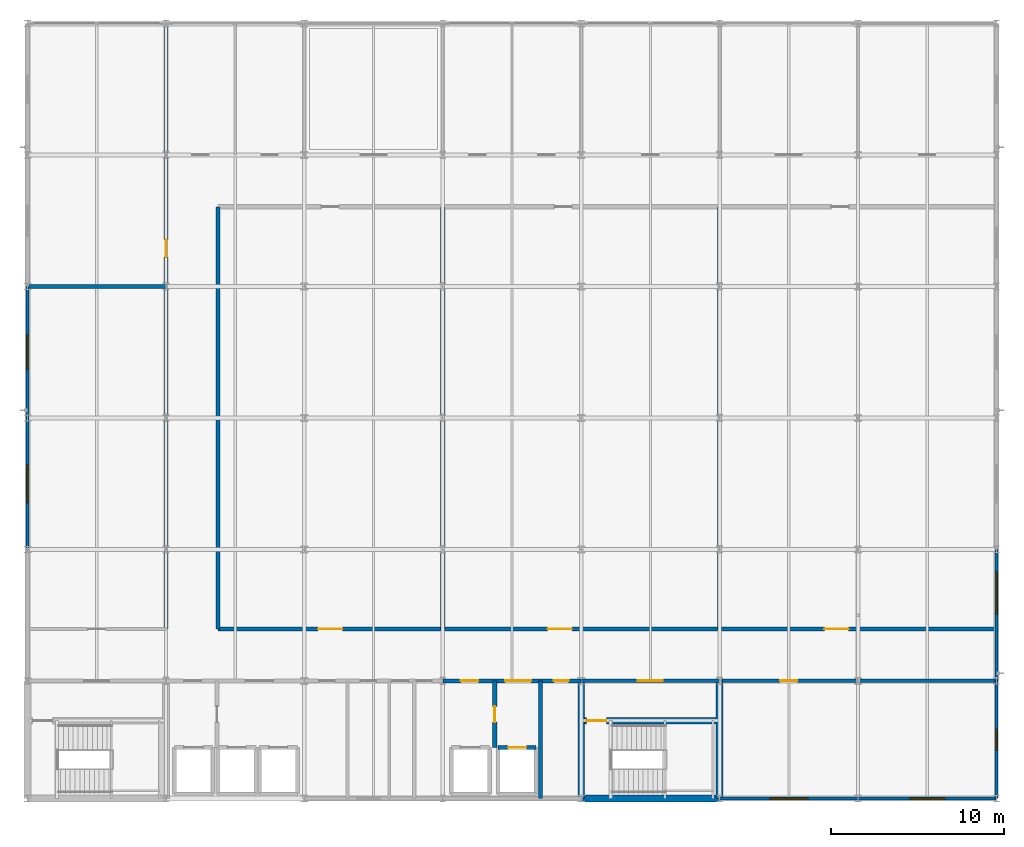
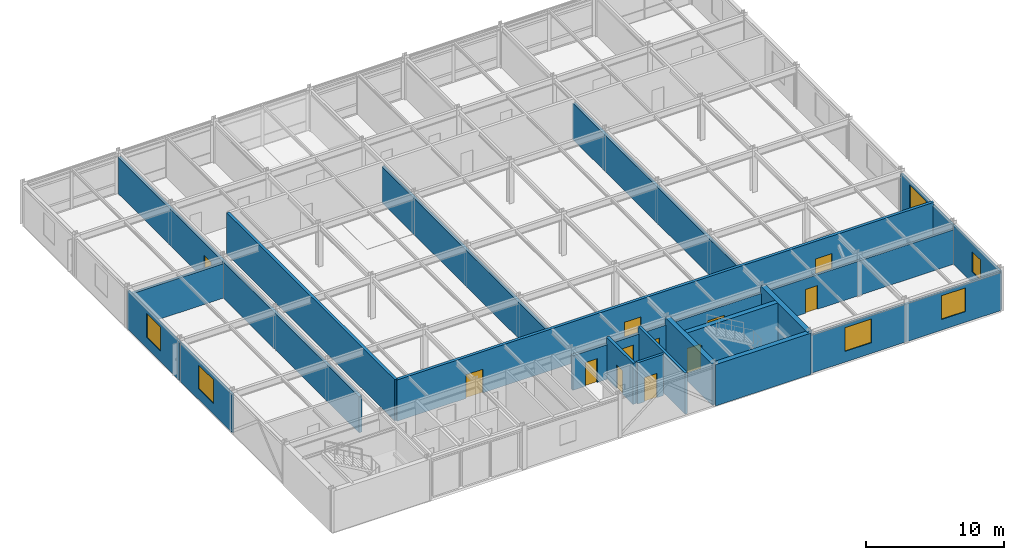
# One storey, part 12 of 18: 22 walls, 12 doors, 6 windows, 18 openings.
"""IFC4 building model written with IfcOpenShell, lengths in metres."""

from ifc_helpers import new_model, si_unit, direction, frame, frame_2d, origin, place, context, subcontext, project, spatial, rectangle, extrude, material, layer, layer_set, type_object, element, fill, save


model = new_model("IFC4")

# Units and contexts
model_context = context("Model", 3, precision=1e-05, world=origin(), true_north=direction((0.0, 1.0)))
body_context = subcontext(model_context, "Body", "Model", "MODEL_VIEW")
ifc_project = project(units=[si_unit("LENGTHUNIT", "METRE"), si_unit("AREAUNIT", "SQUARE_METRE"), si_unit("VOLUMEUNIT", "CUBIC_METRE"), si_unit("PLANEANGLEUNIT", "RADIAN"), si_unit("MASSUNIT", "GRAM", prefix="KILO")], contexts=[model_context])

# Site, building, storey
site_placement = place(None, origin())
site = spatial("IfcSite", under=ifc_project, at=site_placement, CompositionType="ELEMENT")
building_placement = place(site_placement, origin())
building = spatial("IfcBuilding", under=site, at=building_placement, Name="Shalkamar Park Central Library", CompositionType="ELEMENT")
storey_placement = place(building_placement, frame((0.0, 0.0, 24.300048828125)))
storey = spatial("IfcBuildingStorey", under=building, at=storey_placement, Name="L06", CompositionType="ELEMENT", Elevation=24.300048828125)

# Wall, opening, door
ifc_material_1 = material(Name="Reinforced fire-compartment masonry wall", Category="masonry")
ifc_layer_1 = layer(ifc_material_1, 0.239990234375)
ifc_layer_set_1 = layer_set([ifc_layer_1], Name="CompartmentWall_240")
wall_type_1 = type_object("IfcWallType", Name="Compartment Wall 240", PredefinedType="PARTITIONING", material=ifc_layer_set_1)
wall_1_placement = place(storey_placement, frame((192.0, 251.35009765625, 0.0), z_axis=(0.0, 0.0, 1.0), x_axis=(0.0, 1.0, 0.0)))
wall_1 = element("IfcWall", 1, at=wall_1_placement, inside=storey, type_object=wall_type_1, Name="Interior Partition WL-INT-L06-002", PredefinedType="PARTITIONING", context=body_context, shape_type="SweptSolid", body=[
    extrude(rectangle(XDim=3.849853515625, YDim=0.239990234375, at=frame_2d((1.9248046875, 0.0))), origin(), (0.0, 0.0, 1.0), 3.659912109375),
])
opening_1_placement = place(wall_1_placement, frame((1.47509765625, 0.0, 0.0)))
opening_1 = element("IfcOpeningElement", 2, at=opening_1_placement, cuts=wall_1, Name="Opening DR-L06-002", PredefinedType="OPENING", context=body_context, shape_type="SweptSolid", body=[
    extrude(rectangle(XDim=0.89990234375, YDim=2.10009765625, at=frame_2d((0.449951171875, 1.050048828125))), frame((0.0, 0.134765625, 0.0), z_axis=(0.0, -1.0, 0.0), x_axis=(1.0, 0.0, 0.0)), (0.0, 0.0, 1.0), 0.269775390625),
])
ifc_material_2 = material(Name="Steel S355", Category="steel")
door_type_1 = type_object("IfcDoorType", Name="Fire Door Single 900x2100", OperationType="NOTDEFINED", PredefinedType="DOOR", material=ifc_material_2)
door_1_placement = place(opening_1_placement, origin())
door_1 = element("IfcDoor", 3, at=door_1_placement, inside=storey, type_object=door_type_1, Name="Fire Lobby Interconnect Door", OperationType="SINGLE_SWING_LEFT", OverallHeight=2.10009765625, OverallWidth=0.89990234375, PredefinedType="DOOR", context=body_context, shape_type="SweptSolid", body=[
    extrude(rectangle(XDim=0.89990234375, YDim=2.10009765625, at=frame_2d((0.449951171875, 1.050048828125))), frame((0.0, 0.02490234375, 0.0), z_axis=(0.0, -1.0, 0.0), x_axis=(1.0, 0.0, 0.0)), (0.0, 0.0, 1.0), 0.050048828125),
])
fill(opening_1, door_1)

# Wall, openings, doors
wall_2_placement = place(storey_placement, frame((189.0, 255.199951171875, 0.0), z_axis=(0.0, 0.0, 1.0), x_axis=(1.0, 0.0, 0.0)))
wall_2 = element("IfcWall", 4, at=wall_2_placement, inside=storey, type_object=wall_type_1, Name="Interior Partition WL-INT-L06-009", PredefinedType="PARTITIONING", context=body_context, shape_type="SweptSolid", body=[
    extrude(rectangle(XDim=8.0, YDim=0.239990234375, at=frame_2d((4.0, 0.0))), origin(), (0.0, 0.0, 1.0), 3.057861328125),
])
opening_2_placement = place(wall_2_placement, frame((1.050048828125, 0.0, 0.0)))
opening_2 = element("IfcOpeningElement", 5, at=opening_2_placement, cuts=wall_2, Name="Opening DR-L06-009", PredefinedType="OPENING", context=body_context, shape_type="SweptSolid", body=[
    extrude(rectangle(XDim=1.0, YDim=2.10009765625, at=frame_2d((0.5, 1.050048828125))), frame((0.0, 0.134765625, 0.0), z_axis=(0.0, -1.0, 0.0), x_axis=(1.0, 0.0, 0.0)), (0.0, 0.0, 1.0), 0.269775390625),
])
opening_3_placement = place(wall_2_placement, frame((3.60009765625, 0.0, 0.0)))
opening_3 = element("IfcOpeningElement", 6, at=opening_3_placement, cuts=wall_2, Name="Opening DR-L06-010", PredefinedType="OPENING", context=body_context, shape_type="SweptSolid", body=[
    extrude(rectangle(XDim=1.5, YDim=2.25, at=frame_2d((0.75, 1.125))), frame((0.0, 0.134765625, 0.0), z_axis=(0.0, -1.0, 0.0), x_axis=(1.0, 0.0, 0.0)), (0.0, 0.0, 1.0), 0.269775390625),
])
opening_4_placement = place(wall_2_placement, frame((6.425048828125, 0.0, 0.0)))
opening_4 = element("IfcOpeningElement", 7, at=opening_4_placement, cuts=wall_2, Name="Opening DR-L06-011", PredefinedType="OPENING", context=body_context, shape_type="SweptSolid", body=[
    extrude(rectangle(XDim=0.85009765625, YDim=2.10009765625, at=frame_2d((0.425048828125, 1.050048828125))), frame((0.0, 0.134765625, 0.0), z_axis=(0.0, -1.0, 0.0), x_axis=(1.0, 0.0, 0.0)), (0.0, 0.0, 1.0), 0.269775390625),
])
door_type_2 = type_object("IfcDoorType", Name="Fire Door Riser 850x2100", OperationType="NOTDEFINED", PredefinedType="DOOR", material=ifc_material_2)
door_2_placement = place(opening_4_placement, frame((0.85009765625, 0.0, 0.0), z_axis=(0.0, 0.0, 1.0), x_axis=(-1.0, 0.0, 0.0)))
door_2 = element("IfcDoor", 8, at=door_2_placement, inside=storey, type_object=door_type_2, Name="Mechanical Riser Access Door", OperationType="SINGLE_SWING_LEFT", OverallHeight=2.10009765625, OverallWidth=0.85009765625, PredefinedType="DOOR", context=body_context, shape_type="SweptSolid", body=[
    extrude(rectangle(XDim=0.85009765625, YDim=2.10009765625, at=frame_2d((0.425048828125, 1.050048828125))), frame((0.0, 0.02490234375, 0.0), z_axis=(0.0, -1.0, 0.0), x_axis=(1.0, 0.0, 0.0)), (0.0, 0.0, 1.0), 0.050048828125),
])
fill(opening_4, door_2)
door_type_3 = type_object("IfcDoorType", Name="Fire Door Single 1000x2100", OperationType="NOTDEFINED", PredefinedType="DOOR", material=ifc_material_2)
door_3_placement = place(opening_2_placement, frame((1.0, 0.0, 0.0), z_axis=(0.0, 0.0, 1.0), x_axis=(-1.0, 0.0, 0.0)))
door_3 = element("IfcDoor", 9, at=door_3_placement, inside=storey, type_object=door_type_3, Name="East Firefighting Lobby Door", OperationType="SINGLE_SWING_RIGHT", OverallHeight=2.10009765625, OverallWidth=1.0, PredefinedType="DOOR", context=body_context, shape_type="SweptSolid", body=[
    extrude(rectangle(XDim=1.0, YDim=2.10009765625, at=frame_2d((0.5, 1.050048828125))), frame((0.0, 0.02490234375, 0.0), z_axis=(0.0, -1.0, 0.0), x_axis=(1.0, 0.0, 0.0)), (0.0, 0.0, 1.0), 0.050048828125),
])
fill(opening_2, door_3)
door_type_4 = type_object("IfcDoorType", Name="Interior Door Double 1500x2250", OperationType="DOUBLE_DOOR_SINGLE_SWING", PredefinedType="DOOR", material=ifc_material_2)
door_4_placement = place(opening_3_placement, frame((1.5, 0.0, 0.0), z_axis=(0.0, 0.0, 1.0), x_axis=(-1.0, 0.0, 0.0)))
door_4 = element("IfcDoor", 10, at=door_4_placement, inside=storey, type_object=door_type_4, Name="East Lift Lobby Entrance", OperationType="DOUBLE_DOOR_SINGLE_SWING", OverallHeight=2.25, OverallWidth=1.5, PredefinedType="DOOR", context=body_context, shape_type="SweptSolid", body=[
    extrude(rectangle(XDim=1.5, YDim=2.25, at=frame_2d((0.75, 1.125))), frame((0.0, 0.02490234375, 0.0), z_axis=(0.0, -1.0, 0.0), x_axis=(1.0, 0.0, 0.0)), (0.0, 0.0, 1.0), 0.050048828125),
])
fill(opening_3, door_4)

# Wall, opening, door
wall_3_placement = place(storey_placement, frame((173.0, 258.199951171875, 0.0), z_axis=(0.0, 0.0, 1.0), x_axis=(0.0, 1.0, 0.0)))
wall_3 = element("IfcWall", 11, at=wall_3_placement, inside=storey, type_object=wall_type_1, Name="Interior Partition WL-INT-L06-012", PredefinedType="PARTITIONING", context=body_context, shape_type="SweptSolid", body=[
    extrude(rectangle(XDim=35.0, YDim=0.239990234375, at=frame_2d((17.5, 0.0))), origin(), (0.0, 0.0, 1.0), 3.2080078125),
])
opening_5_placement = place(wall_3_placement, frame((21.5, 0.0, 0.0)))
opening_5 = element("IfcOpeningElement", 12, at=opening_5_placement, cuts=wall_3, Name="Opening DR-L06-014", PredefinedType="OPENING", context=body_context, shape_type="SweptSolid", body=[
    extrude(rectangle(XDim=1.0, YDim=2.10009765625, at=frame_2d((0.5, 1.050048828125))), frame((0.0, 0.134765625, 0.0), z_axis=(0.0, -1.0, 0.0), x_axis=(1.0, 0.0, 0.0)), (0.0, 0.0, 1.0), 0.269775390625),
])
door_type_5 = type_object("IfcDoorType", Name="Interior Door Single 1000x2100", OperationType="NOTDEFINED", PredefinedType="DOOR", material=ifc_material_2)
door_5_placement = place(opening_5_placement, origin())
door_5 = element("IfcDoor", 13, at=door_5_placement, inside=storey, type_object=door_type_5, Name="L06 West Carrel Suite Door", OperationType="SINGLE_SWING_RIGHT", OverallHeight=2.10009765625, OverallWidth=1.0, PredefinedType="DOOR", context=body_context, shape_type="SweptSolid", body=[
    extrude(rectangle(XDim=1.0, YDim=2.10009765625, at=frame_2d((0.5, 1.050048828125))), frame((0.0, 0.02490234375, 0.0), z_axis=(0.0, -1.0, 0.0), x_axis=(1.0, 0.0, 0.0)), (0.0, 0.0, 1.0), 0.050048828125),
])
fill(opening_5, door_5)

# Walls
wall_4_placement = place(storey_placement, frame((165.0, 278.0, 0.0), z_axis=(0.0, 0.0, 1.0), x_axis=(1.0, 0.0, 0.0)))
element("IfcWall", 14, at=wall_4_placement, inside=storey, type_object=wall_type_1, Name="Interior Partition WL-INT-L06-013", PredefinedType="PARTITIONING", context=body_context, shape_type="SweptSolid", body=[
    extrude(rectangle(XDim=8.0, YDim=0.239990234375, at=frame_2d((4.0, 0.0))), origin(), (0.0, 0.0, 1.0), 3.057861328125),
])
wall_5_placement = place(storey_placement, frame((176.0, 258.199951171875, 0.0), z_axis=(0.0, 0.0, 1.0), x_axis=(0.0, 1.0, 0.0)))
element("IfcWall", 15, at=wall_5_placement, inside=storey, type_object=wall_type_1, Name="Interior Partition WL-INT-L06-014", PredefinedType="PARTITIONING", context=body_context, shape_type="SweptSolid", body=[
    extrude(rectangle(XDim=24.400146484375, YDim=0.239990234375, at=frame_2d((12.2001953125, 0.0))), origin(), (0.0, 0.0, 1.0), 3.659912109375),
])

# Wall, openings, doors
wall_6_placement = place(storey_placement, frame((176.0, 258.199951171875, 0.0), z_axis=(0.0, 0.0, 1.0), x_axis=(1.0, 0.0, 0.0)))
wall_6 = element("IfcWall", 16, at=wall_6_placement, inside=storey, type_object=wall_type_1, Name="Interior Partition WL-INT-L06-015", PredefinedType="PARTITIONING", context=body_context, shape_type="SweptSolid", body=[
    extrude(rectangle(XDim=45.0, YDim=0.239990234375, at=frame_2d((22.5, 0.0))), origin(), (0.0, 0.0, 1.0), 3.659912109375),
])
opening_6_placement = place(wall_6_placement, frame((5.800048828125, 0.0, 0.0)))
opening_6 = element("IfcOpeningElement", 17, at=opening_6_placement, cuts=wall_6, Name="Opening DR-L06-015", PredefinedType="OPENING", context=body_context, shape_type="SweptSolid", body=[
    extrude(rectangle(XDim=1.39990234375, YDim=2.10009765625, at=frame_2d((0.699951171875, 1.050048828125))), frame((0.0, 0.134765625, 0.0), z_axis=(0.0, -1.0, 0.0), x_axis=(1.0, 0.0, 0.0)), (0.0, 0.0, 1.0), 0.269775390625),
])
opening_7_placement = place(wall_6_placement, frame((19.06005859375, 0.0, 0.0)))
opening_7 = element("IfcOpeningElement", 18, at=opening_7_placement, cuts=wall_6, Name="Opening DR-L06-016", PredefinedType="OPENING", context=body_context, shape_type="SweptSolid", body=[
    extrude(rectangle(XDim=1.39990234375, YDim=2.10009765625, at=frame_2d((0.699951171875, 1.050048828125))), frame((0.0, 0.134765625, 0.0), z_axis=(0.0, -1.0, 0.0), x_axis=(1.0, 0.0, 0.0)), (0.0, 0.0, 1.0), 0.269775390625),
])
opening_8_placement = place(wall_6_placement, frame((35.06005859375, 0.0, 0.0)))
opening_8 = element("IfcOpeningElement", 19, at=opening_8_placement, cuts=wall_6, Name="Opening DR-L06-017", PredefinedType="OPENING", context=body_context, shape_type="SweptSolid", body=[
    extrude(rectangle(XDim=1.39990234375, YDim=2.10009765625, at=frame_2d((0.699951171875, 1.050048828125))), frame((0.0, 0.134765625, 0.0), z_axis=(0.0, -1.0, 0.0), x_axis=(1.0, 0.0, 0.0)), (0.0, 0.0, 1.0), 0.269775390625),
])
door_type_6 = type_object("IfcDoorType", Name="Fire Door Double 1400x2100", OperationType="DOUBLE_DOOR_SINGLE_SWING", PredefinedType="DOOR", material=ifc_material_2)
door_6_placement = place(opening_6_placement, origin())
door_6 = element("IfcDoor", 20, at=door_6_placement, inside=storey, type_object=door_type_6, Name="L06 Closed Stacks A Door", OperationType="DOUBLE_DOOR_SINGLE_SWING", OverallHeight=2.10009765625, OverallWidth=1.39990234375, PredefinedType="DOOR", context=body_context, shape_type="SweptSolid", body=[
    extrude(rectangle(XDim=1.39990234375, YDim=2.10009765625, at=frame_2d((0.699951171875, 1.050048828125))), frame((0.0, 0.02490234375, 0.0), z_axis=(0.0, -1.0, 0.0), x_axis=(1.0, 0.0, 0.0)), (0.0, 0.0, 1.0), 0.050048828125),
])
fill(opening_6, door_6)
door_7_placement = place(opening_7_placement, origin())
door_7 = element("IfcDoor", 21, at=door_7_placement, inside=storey, type_object=door_type_6, Name="L06 Closed Stacks B Door", OperationType="DOUBLE_DOOR_SINGLE_SWING", OverallHeight=2.10009765625, OverallWidth=1.39990234375, PredefinedType="DOOR", context=body_context, shape_type="SweptSolid", body=[
    extrude(rectangle(XDim=1.39990234375, YDim=2.10009765625, at=frame_2d((0.699951171875, 1.050048828125))), frame((0.0, 0.02490234375, 0.0), z_axis=(0.0, -1.0, 0.0), x_axis=(1.0, 0.0, 0.0)), (0.0, 0.0, 1.0), 0.050048828125),
])
fill(opening_7, door_7)
door_8_placement = place(opening_8_placement, origin())
door_8 = element("IfcDoor", 22, at=door_8_placement, inside=storey, type_object=door_type_6, Name="L06 Closed Stacks C Door", OperationType="DOUBLE_DOOR_SINGLE_SWING", OverallHeight=2.10009765625, OverallWidth=1.39990234375, PredefinedType="DOOR", context=body_context, shape_type="SweptSolid", body=[
    extrude(rectangle(XDim=1.39990234375, YDim=2.10009765625, at=frame_2d((0.699951171875, 1.050048828125))), frame((0.0, 0.02490234375, 0.0), z_axis=(0.0, -1.0, 0.0), x_axis=(1.0, 0.0, 0.0)), (0.0, 0.0, 1.0), 0.050048828125),
])
fill(opening_8, door_8)

# Walls
for number, where, z_axis, x_axis, name in (
    (23, (189.0, 258.199951171875, 0.0), (0.0, 0.0, 1.0), (0.0, 1.0, 0.0), "Interior Partition WL-INT-L06-017"),
    (24, (205.0, 258.199951171875, 0.0), (0.0, 0.0, 1.0), (0.0, 1.0, 0.0), "Interior Partition WL-INT-L06-018"),
):
    element("IfcWall", number, at=place(storey_placement, frame(where, z_axis=z_axis, x_axis=x_axis)), inside=storey, type_object=wall_type_1, Name=name, PredefinedType="PARTITIONING", context=body_context, shape_type="SweptSolid", body=[
        extrude(rectangle(XDim=24.400146484375, YDim=0.239990234375, at=frame_2d((12.2001953125, 0.0))), origin(), (0.0, 0.0, 1.0), 3.2080078125),
    ])

# Wall, opening, door
ifc_material_3 = material(Name="Fire-rated corridor partition wall", Category="masonry")
ifc_layer_2 = layer(ifc_material_3, 0.199951171875)
ifc_layer_set_2 = layer_set([ifc_layer_2], Name="CorridorFireWall_200")
wall_type_2 = type_object("IfcWallType", Name="Corridor Fire Wall 200", PredefinedType="PARTITIONING", material=ifc_layer_set_2)
wall_7_placement = place(storey_placement, frame((197.0, 255.199951171875, 0.0), z_axis=(0.0, 0.0, 1.0), x_axis=(1.0, 0.0, 0.0)))
wall_7 = element("IfcWall", 25, at=wall_7_placement, inside=storey, type_object=wall_type_2, Name="CORE-T2 Vestibule North Wall (L06)", PredefinedType="PARTITIONING", context=body_context, shape_type="SweptSolid", body=[
    extrude(rectangle(XDim=8.0, YDim=0.199951171875, at=frame_2d((4.0, 0.0))), origin(), (0.0, 0.0, 1.0), 3.057861328125),
])
opening_9_placement = place(wall_7_placement, frame((3.27490234375, 0.0, 0.0)))
opening_9 = element("IfcOpeningElement", 26, at=opening_9_placement, cuts=wall_7, Name="Opening DR-ST-T2-L06-VEST", PredefinedType="OPENING", context=body_context, shape_type="SweptSolid", body=[
    extrude(rectangle(XDim=1.449951171875, YDim=2.199951171875, at=frame_2d((0.72509765625, 1.10009765625))), frame((0.0, 0.11474609375, 0.0), z_axis=(0.0, -1.0, 0.0), x_axis=(1.0, 0.0, 0.0)), (0.0, 0.0, 1.0), 0.229736328125),
])
door_type_7 = type_object("IfcDoorType", Name="Stair Vestibule Door 1450x2200", OperationType="DOUBLE_DOOR_SINGLE_SWING", PredefinedType="DOOR", material=ifc_material_2)
door_9_placement = place(opening_9_placement, frame((1.449951171875, 0.0, 0.0), z_axis=(0.0, 0.0, 1.0), x_axis=(-1.0, 0.0, 0.0)))
door_9 = element("IfcDoor", 27, at=door_9_placement, inside=storey, type_object=door_type_7, Name="Protected Stair ST-T2 Vestibule Door (L06)", OperationType="DOUBLE_DOOR_SINGLE_SWING", OverallHeight=2.199951171875, OverallWidth=1.449951171875, PredefinedType="DOOR", context=body_context, shape_type="SweptSolid", body=[
    extrude(rectangle(XDim=1.449951171875, YDim=2.199951171875, at=frame_2d((0.72509765625, 1.10009765625))), frame((0.0, 0.02490234375, 0.0), z_axis=(0.0, -1.0, 0.0), x_axis=(1.0, 0.0, 0.0)), (0.0, 0.0, 1.0), 0.050048828125),
])
fill(opening_9, door_9)

wall_8_placement = place(storey_placement, frame((205.0, 255.199951171875, 0.0), z_axis=(0.0, 0.0, 1.0), x_axis=(1.0, 0.0, 0.0)))
wall_8 = element("IfcWall", 28, at=wall_8_placement, inside=storey, type_object=wall_type_2, Name="Interior Partition WL-INT-L06-010", PredefinedType="PARTITIONING", context=body_context, shape_type="SweptSolid", body=[
    extrude(rectangle(XDim=16.0, YDim=0.199951171875, at=frame_2d((8.0, 0.0))), origin(), (0.0, 0.0, 1.0), 3.057861328125),
])
opening_10_placement = place(wall_8_placement, frame((3.5, 0.0, 0.0)))
opening_10 = element("IfcOpeningElement", 29, at=opening_10_placement, cuts=wall_8, Name="Opening DR-L06-012", PredefinedType="OPENING", context=body_context, shape_type="SweptSolid", body=[
    extrude(rectangle(XDim=1.0, YDim=2.10009765625, at=frame_2d((0.5, 1.050048828125))), frame((0.0, 0.11474609375, 0.0), z_axis=(0.0, -1.0, 0.0), x_axis=(1.0, 0.0, 0.0)), (0.0, 0.0, 1.0), 0.229736328125),
])
door_10_placement = place(opening_10_placement, frame((1.0, 0.0, 0.0), z_axis=(0.0, 0.0, 1.0), x_axis=(-1.0, 0.0, 0.0)))
door_10 = element("IfcDoor", 30, at=door_10_placement, inside=storey, type_object=door_type_5, Name="L06 Bibliographic Office Door", OperationType="SINGLE_SWING_RIGHT", OverallHeight=2.10009765625, OverallWidth=1.0, PredefinedType="DOOR", context=body_context, shape_type="SweptSolid", body=[
    extrude(rectangle(XDim=1.0, YDim=2.10009765625, at=frame_2d((0.5, 1.050048828125))), frame((0.0, 0.02490234375, 0.0), z_axis=(0.0, -1.0, 0.0), x_axis=(1.0, 0.0, 0.0)), (0.0, 0.0, 1.0), 0.050048828125),
])
fill(opening_10, door_10)

ifc_material_4 = material(Name="Concrete C40/50", Category="concrete")
ifc_layer_3 = layer(ifc_material_4, 0.219970703125)
ifc_layer_set_3 = layer_set([ifc_layer_3], Name="Concrete C40/50")
wall_type_3 = type_object("IfcWallType", Name="Lift Hoistway Shear Wall 220", PredefinedType="SHEAR", material=ifc_layer_set_3)
wall_9_placement = place(storey_placement, frame((192.199951171875, 251.35009765625, 0.0), z_axis=(0.0, 0.0, 1.0), x_axis=(1.0, 0.0, 0.0)))
wall_9 = element("IfcWall", 31, at=wall_9_placement, inside=storey, type_object=wall_type_3, Name="Lift LT-03 Hoistway Front Wall (L06)", PredefinedType="SHEAR", context=body_context, shape_type="SweptSolid", body=[
    extrude(rectangle(XDim=2.199951171875, YDim=0.219970703125, at=frame_2d((1.10009765625, 0.0))), origin(), (0.0, 0.0, 1.0), 3.659912109375),
])
opening_11_placement = place(wall_9_placement, frame((0.574951171875, 0.0, 0.0)))
opening_11 = element("IfcOpeningElement", 32, at=opening_11_placement, cuts=wall_9, Name="Opening LD-LT-03-L06", PredefinedType="OPENING", context=body_context, shape_type="SweptSolid", body=[
    extrude(rectangle(XDim=1.050048828125, YDim=2.14990234375, at=frame_2d((0.52490234375, 1.074951171875))), frame((0.0, 0.125, 0.0), z_axis=(0.0, -1.0, 0.0), x_axis=(1.0, 0.0, 0.0)), (0.0, 0.0, 1.0), 0.249755859375),
])
door_type_8 = type_object("IfcDoorType", Name="Passenger Lift Landing Door 1050x2150", OperationType="DOUBLE_DOOR_SLIDING", PredefinedType="USERDEFINED", material=ifc_material_2)
door_11_placement = place(opening_11_placement, origin())
door_11 = element("IfcDoor", 33, at=door_11_placement, inside=storey, type_object=door_type_8, Name="Lift LT-03 Sliding Landing Door (L06)", ObjectType="SLIDING LANDING DOOR", OperationType="DOUBLE_DOOR_SLIDING", OverallHeight=2.14990234375, OverallWidth=1.050048828125, PredefinedType="USERDEFINED", context=body_context, shape_type="SweptSolid", body=[
    extrude(rectangle(XDim=1.050048828125, YDim=2.14990234375, at=frame_2d((0.52490234375, 1.074951171875))), frame((0.0, 0.02490234375, 0.0), z_axis=(0.0, -1.0, 0.0), x_axis=(1.0, 0.0, 0.0)), (0.0, 0.0, 1.0), 0.050048828125),
])
fill(opening_11, door_11)

# Walls
ifc_material_5 = material(Name="Fire-rated shaft enclosure wall", Category="masonry")
ifc_layer_4 = layer(ifc_material_5, 0.219970703125)
ifc_layer_set_4 = layer_set([ifc_layer_4], Name="ShaftWall_220")
wall_type_4 = type_object("IfcWallType", Name="Shaft Wall 220", PredefinedType="PARTITIONING", material=ifc_layer_set_4)
wall_10_placement = place(storey_placement, frame((194.64990234375, 248.39990234375, 0.0), z_axis=(0.0, 0.0, 1.0), x_axis=(0.0, 1.0, 0.0)))
element("IfcWall", 34, at=wall_10_placement, inside=storey, type_object=wall_type_4, Name="Interior Partition WL-INT-L06-003", PredefinedType="PARTITIONING", context=body_context, shape_type="SweptSolid", body=[
    extrude(rectangle(XDim=6.800048828125, YDim=0.219970703125, at=frame_2d((3.39990234375, 0.0))), origin(), (0.0, 0.0, 1.0), 3.659912109375),
])
ifc_layer_5 = layer(ifc_material_4, 0.39990234375)
ifc_layer_set_5 = layer_set([ifc_layer_5], Name="Concrete C40/50")
wall_type_5 = type_object("IfcWallType", Name="Tower Core Shear Wall 400", PredefinedType="SHEAR", material=ifc_layer_set_5)
wall_11_placement = place(storey_placement, frame((197.0, 248.39990234375, 0.0), z_axis=(0.0, 0.0, 1.0), x_axis=(1.0, 0.0, 0.0)))
element("IfcWall", 35, at=wall_11_placement, inside=storey, type_object=wall_type_5, Name="CORE-T2 South Shear Wall (L06)", PredefinedType="SHEAR", context=body_context, shape_type="SweptSolid", body=[
    extrude(rectangle(XDim=8.0, YDim=0.39990234375, at=frame_2d((4.0, 0.0))), origin(), (0.0, 0.0, 1.0), 3.659912109375),
])
for number, where, z_axis, x_axis, name in (
    (36, (197.0, 248.39990234375, 0.0), (0.0, 0.0, 1.0), (0.0, 1.0, 0.0), "CORE-T2 West Shear Wall (L06)"),
    (37, (205.0, 248.39990234375, 0.0), (0.0, 0.0, 1.0), (0.0, 1.0, 0.0), "CORE-T2 East Shear Wall (L06)"),
):
    element("IfcWall", number, at=place(storey_placement, frame(where, z_axis=z_axis, x_axis=x_axis)), inside=storey, type_object=wall_type_5, Name=name, PredefinedType="SHEAR", context=body_context, shape_type="SweptSolid", body=[
        extrude(rectangle(XDim=6.800048828125, YDim=0.39990234375, at=frame_2d((3.39990234375, 0.0))), origin(), (0.0, 0.0, 1.0), 3.659912109375),
    ])

# Wall, opening, door
wall_12_placement = place(storey_placement, frame((197.0, 252.89990234375, 0.0), z_axis=(0.0, 0.0, 1.0), x_axis=(1.0, 0.0, 0.0)))
wall_12 = element("IfcWall", 38, at=wall_12_placement, inside=storey, type_object=wall_type_5, Name="CORE-T2 Stairwell Wall (L06)", PredefinedType="SHEAR", context=body_context, shape_type="SweptSolid", body=[
    extrude(rectangle(XDim=8.0, YDim=0.39990234375, at=frame_2d((4.0, 0.0))), origin(), (0.0, 0.0, 1.0), 3.659912109375),
])
opening_12_placement = place(wall_12_placement, frame((0.300048828125, 0.0, 0.0)))
opening_12 = element("IfcOpeningElement", 39, at=opening_12_placement, cuts=wall_12, Name="Opening DR-ST-T2-L06-IN", PredefinedType="OPENING", context=body_context, shape_type="SweptSolid", body=[
    extrude(rectangle(XDim=1.14990234375, YDim=2.14990234375, at=frame_2d((0.574951171875, 1.074951171875))), frame((0.0, 0.21484375, 0.0), z_axis=(0.0, -1.0, 0.0), x_axis=(1.0, 0.0, 0.0)), (0.0, 0.0, 1.0), 0.4296875),
])
door_type_9 = type_object("IfcDoorType", Name="Stair Core Exit Door 1150x2150", OperationType="NOTDEFINED", PredefinedType="DOOR", material=ifc_material_2)
door_12_placement = place(opening_12_placement, frame((1.14990234375, 0.0, 0.0), z_axis=(0.0, 0.0, 1.0), x_axis=(-1.0, 0.0, 0.0)))
door_12 = element("IfcDoor", 40, at=door_12_placement, inside=storey, type_object=door_type_9, Name="Protected Stair ST-T2 Exit Door (L06)", OperationType="SINGLE_SWING_RIGHT", OverallHeight=2.14990234375, OverallWidth=1.14990234375, PredefinedType="DOOR", context=body_context, shape_type="SweptSolid", body=[
    extrude(rectangle(XDim=1.14990234375, YDim=2.14990234375, at=frame_2d((0.574951171875, 1.074951171875))), frame((0.0, 0.02490234375, 0.0), z_axis=(0.0, -1.0, 0.0), x_axis=(1.0, 0.0, 0.0)), (0.0, 0.0, 1.0), 0.050048828125),
])
fill(opening_12, door_12)

# Wall, opening, window
ifc_material_6 = material(Name="Terracotta insulated wall panel", Category="masonry")
ifc_layer_6 = layer(ifc_material_6, 0.179931640625)
ifc_layer_set_6 = layer_set([ifc_layer_6], Name="TowerSpandrelWall_180")
wall_type_6 = type_object("IfcWallType", Name="Tower Spandrel Wall 180", PredefinedType="SOLIDWALL", material=ifc_layer_set_6)
wall_13_placement = place(storey_placement, frame((205.006103515625, 248.39990234375, 0.0), z_axis=(0.0, 0.0, 1.0), x_axis=(1.0, 0.0, 0.0)))
wall_13 = element("IfcWall", 41, at=wall_13_placement, inside=storey, type_object=wall_type_6, Name="Exterior Facade Wall WL-EXT-L06-145", PredefinedType="SOLIDWALL", context=body_context, shape_type="SweptSolid", body=[
    extrude(rectangle(XDim=7.98779296875, YDim=0.179931640625, at=frame_2d((3.993896484375, 0.0))), origin(), (0.0, 0.0, 1.0), 3.347900390625),
])
opening_13_placement = place(wall_13_placement, frame((2.89404296875, 0.0, 0.949951171875)))
opening_13 = element("IfcOpeningElement", 42, at=opening_13_placement, cuts=wall_13, Name="Opening WN-10", PredefinedType="OPENING", context=body_context, shape_type="SweptSolid", body=[
    extrude(rectangle(XDim=2.199951171875, YDim=2.10009765625, at=frame_2d((1.10009765625, 1.050048828125))), frame((0.0, 0.10498046875, 0.0), z_axis=(0.0, -1.0, 0.0), x_axis=(1.0, 0.0, 0.0)), (0.0, 0.0, 1.0), 0.209716796875),
])
ifc_material_7 = material(Name="Thermally broken aluminium and triple low-e glass", Category="glass")
window_type_1 = type_object("IfcWindowType", Name="Tower Window 2200x2100", PartitioningType="DOUBLE_PANEL_VERTICAL", PredefinedType="WINDOW", material=ifc_material_7)
window_1_placement = place(opening_13_placement, origin())
window_1 = element("IfcWindow", 43, at=window_1_placement, inside=storey, type_object=window_type_1, Name="Facade Window WN-L06-097", OverallHeight=2.10009765625, OverallWidth=2.199951171875, PartitioningType="DOUBLE_PANEL_VERTICAL", PredefinedType="WINDOW", context=body_context, shape_type="SweptSolid", body=[
    extrude(rectangle(XDim=2.199951171875, YDim=2.10009765625, at=frame_2d((1.10009765625, 1.050048828125))), frame((0.0, 0.030029296875, 0.0), z_axis=(0.0, -1.0, 0.0), x_axis=(1.0, 0.0, 0.0)), (0.0, 0.0, 1.0), 0.06005859375),
])
fill(opening_13, window_1)

wall_14_placement = place(storey_placement, frame((213.006103515625, 248.39990234375, 0.0), z_axis=(0.0, 0.0, 1.0), x_axis=(1.0, 0.0, 0.0)))
wall_14 = element("IfcWall", 44, at=wall_14_placement, inside=storey, type_object=wall_type_6, Name="Exterior Facade Wall WL-EXT-L06-146", PredefinedType="SOLIDWALL", context=body_context, shape_type="SweptSolid", body=[
    extrude(rectangle(XDim=7.98779296875, YDim=0.179931640625, at=frame_2d((3.993896484375, 0.0))), origin(), (0.0, 0.0, 1.0), 3.347900390625),
])
opening_14_placement = place(wall_14_placement, frame((2.993896484375, 0.0, 0.949951171875)))
opening_14 = element("IfcOpeningElement", 45, at=opening_14_placement, cuts=wall_14, Name="Opening WN-11", PredefinedType="OPENING", context=body_context, shape_type="SweptSolid", body=[
    extrude(rectangle(XDim=2.0, YDim=2.10009765625, at=frame_2d((1.0, 1.050048828125))), frame((0.0, 0.10498046875, 0.0), z_axis=(0.0, -1.0, 0.0), x_axis=(1.0, 0.0, 0.0)), (0.0, 0.0, 1.0), 0.209716796875),
])
window_type_2 = type_object("IfcWindowType", Name="Tower Window 2000x2100", PartitioningType="DOUBLE_PANEL_VERTICAL", PredefinedType="WINDOW", material=ifc_material_7)
window_2_placement = place(opening_14_placement, origin())
window_2 = element("IfcWindow", 46, at=window_2_placement, inside=storey, type_object=window_type_2, Name="Facade Window WN-L06-098", OverallHeight=2.10009765625, OverallWidth=2.0, PartitioningType="DOUBLE_PANEL_VERTICAL", PredefinedType="WINDOW", context=body_context, shape_type="SweptSolid", body=[
    extrude(rectangle(XDim=2.0, YDim=2.10009765625, at=frame_2d((1.0, 1.050048828125))), frame((0.0, 0.030029296875, 0.0), z_axis=(0.0, -1.0, 0.0), x_axis=(1.0, 0.0, 0.0)), (0.0, 0.0, 1.0), 0.06005859375),
])
fill(opening_14, window_2)

wall_15_placement = place(storey_placement, frame((165.0, 262.805908203125, 0.0), z_axis=(0.0, 0.0, 1.0), x_axis=(0.0, 1.0, 0.0)))
wall_15 = element("IfcWall", 47, at=wall_15_placement, inside=storey, type_object=wall_type_6, Name="Exterior Facade Wall WL-EXT-L06-148", PredefinedType="SOLIDWALL", context=body_context, shape_type="SweptSolid", body=[
    extrude(rectangle(XDim=7.588134765625, YDim=0.179931640625, at=frame_2d((3.7939453125, 0.0))), origin(), (0.0, 0.0, 1.0), 3.387939453125),
])
opening_15_placement = place(wall_15_placement, frame((2.694091796875, 0.0, 0.949951171875)))
opening_15 = element("IfcOpeningElement", 48, at=opening_15_placement, cuts=wall_15, Name="Opening WN-10", PredefinedType="OPENING", context=body_context, shape_type="SweptSolid", body=[
    extrude(rectangle(XDim=2.199951171875, YDim=2.10009765625, at=frame_2d((1.10009765625, 1.050048828125))), frame((0.0, 0.10498046875, 0.0), z_axis=(0.0, -1.0, 0.0), x_axis=(1.0, 0.0, 0.0)), (0.0, 0.0, 1.0), 0.209716796875),
])
window_3_placement = place(opening_15_placement, origin())
window_3 = element("IfcWindow", 49, at=window_3_placement, inside=storey, type_object=window_type_1, Name="Facade Window WN-L06-099", OverallHeight=2.10009765625, OverallWidth=2.199951171875, PartitioningType="DOUBLE_PANEL_VERTICAL", PredefinedType="WINDOW", context=body_context, shape_type="SweptSolid", body=[
    extrude(rectangle(XDim=2.199951171875, YDim=2.10009765625, at=frame_2d((1.10009765625, 1.050048828125))), frame((0.0, 0.030029296875, 0.0), z_axis=(0.0, -1.0, 0.0), x_axis=(1.0, 0.0, 0.0)), (0.0, 0.0, 1.0), 0.06005859375),
])
fill(opening_15, window_3)

wall_16_placement = place(storey_placement, frame((165.0, 270.406005859375, 0.0), z_axis=(0.0, 0.0, 1.0), x_axis=(0.0, 1.0, 0.0)))
wall_16 = element("IfcWall", 50, at=wall_16_placement, inside=storey, type_object=wall_type_6, Name="Exterior Facade Wall WL-EXT-L06-149", PredefinedType="SOLIDWALL", context=body_context, shape_type="SweptSolid", body=[
    extrude(rectangle(XDim=7.587890625, YDim=0.179931640625, at=frame_2d((3.7939453125, 0.0))), origin(), (0.0, 0.0, 1.0), 3.387939453125),
])
opening_16_placement = place(wall_16_placement, frame((2.7939453125, 0.0, 0.949951171875)))
opening_16 = element("IfcOpeningElement", 51, at=opening_16_placement, cuts=wall_16, Name="Opening WN-11", PredefinedType="OPENING", context=body_context, shape_type="SweptSolid", body=[
    extrude(rectangle(XDim=2.0, YDim=2.10009765625, at=frame_2d((1.0, 1.050048828125))), frame((0.0, 0.10498046875, 0.0), z_axis=(0.0, -1.0, 0.0), x_axis=(1.0, 0.0, 0.0)), (0.0, 0.0, 1.0), 0.209716796875),
])
window_4_placement = place(opening_16_placement, origin())
window_4 = element("IfcWindow", 52, at=window_4_placement, inside=storey, type_object=window_type_2, Name="Facade Window WN-L06-100", OverallHeight=2.10009765625, OverallWidth=2.0, PartitioningType="DOUBLE_PANEL_VERTICAL", PredefinedType="WINDOW", context=body_context, shape_type="SweptSolid", body=[
    extrude(rectangle(XDim=2.0, YDim=2.10009765625, at=frame_2d((1.0, 1.050048828125))), frame((0.0, 0.030029296875, 0.0), z_axis=(0.0, -1.0, 0.0), x_axis=(1.0, 0.0, 0.0)), (0.0, 0.0, 1.0), 0.06005859375),
])
fill(opening_16, window_4)

wall_17_placement = place(storey_placement, frame((221.0, 248.406005859375, 0.0), z_axis=(0.0, 0.0, 1.0), x_axis=(0.0, 1.0, 0.0)))
wall_17 = element("IfcWall", 53, at=wall_17_placement, inside=storey, type_object=wall_type_6, Name="Exterior Facade Wall WL-EXT-L06-152", PredefinedType="SOLIDWALL", context=body_context, shape_type="SweptSolid", body=[
    extrude(rectangle(XDim=6.7880859375, YDim=0.179931640625, at=frame_2d((3.39404296875, 0.0))), origin(), (0.0, 0.0, 1.0), 3.427978515625),
])
opening_17_placement = place(wall_17_placement, frame((2.7939453125, 0.0, 0.949951171875)))
opening_17 = element("IfcOpeningElement", 54, at=opening_17_placement, cuts=wall_17, Name="Opening WN-16", PredefinedType="OPENING", context=body_context, shape_type="SweptSolid", body=[
    extrude(rectangle(XDim=1.199951171875, YDim=1.800048828125, at=frame_2d((0.60009765625, 0.89990234375))), frame((0.0, 0.10498046875, 0.0), z_axis=(0.0, -1.0, 0.0), x_axis=(1.0, 0.0, 0.0)), (0.0, 0.0, 1.0), 0.209716796875),
])
window_type_3 = type_object("IfcWindowType", Name="Tower Window 1200x1800", PartitioningType="SINGLE_PANEL", PredefinedType="WINDOW", material=ifc_material_7)
window_5_placement = place(opening_17_placement, origin())
window_5 = element("IfcWindow", 55, at=window_5_placement, inside=storey, type_object=window_type_3, Name="Facade Window WN-L06-103", OverallHeight=1.800048828125, OverallWidth=1.199951171875, PartitioningType="SINGLE_PANEL", PredefinedType="WINDOW", context=body_context, shape_type="SweptSolid", body=[
    extrude(rectangle(XDim=1.199951171875, YDim=1.800048828125, at=frame_2d((0.60009765625, 0.89990234375))), frame((0.0, 0.030029296875, 0.0), z_axis=(0.0, -1.0, 0.0), x_axis=(1.0, 0.0, 0.0)), (0.0, 0.0, 1.0), 0.06005859375),
])
fill(opening_17, window_5)

wall_18_placement = place(storey_placement, frame((221.0, 255.2060546875, 0.0), z_axis=(0.0, 0.0, 1.0), x_axis=(0.0, 1.0, 0.0)))
wall_18 = element("IfcWall", 56, at=wall_18_placement, inside=storey, type_object=wall_type_6, Name="Exterior Facade Wall WL-EXT-L06-153", PredefinedType="SOLIDWALL", context=body_context, shape_type="SweptSolid", body=[
    extrude(rectangle(XDim=7.587890625, YDim=0.179931640625, at=frame_2d((3.7939453125, 0.0))), origin(), (0.0, 0.0, 1.0), 3.387939453125),
])
opening_18_placement = place(wall_18_placement, frame((3.865966796875, 0.0, 0.949951171875)))
opening_18 = element("IfcOpeningElement", 57, at=opening_18_placement, cuts=wall_18, Name="Opening WN-09", PredefinedType="OPENING", context=body_context, shape_type="SweptSolid", body=[
    extrude(rectangle(XDim=2.39990234375, YDim=2.199951171875, at=frame_2d((1.199951171875, 1.10009765625))), frame((0.0, 0.10498046875, 0.0), z_axis=(0.0, -1.0, 0.0), x_axis=(1.0, 0.0, 0.0)), (0.0, 0.0, 1.0), 0.209716796875),
])
window_type_4 = type_object("IfcWindowType", Name="Tower Window 2400x2200", PartitioningType="DOUBLE_PANEL_VERTICAL", PredefinedType="WINDOW", material=ifc_material_7)
window_6_placement = place(opening_18_placement, origin())
window_6 = element("IfcWindow", 58, at=window_6_placement, inside=storey, type_object=window_type_4, Name="Facade Window WN-L06-104", OverallHeight=2.199951171875, OverallWidth=2.39990234375, PartitioningType="DOUBLE_PANEL_VERTICAL", PredefinedType="WINDOW", context=body_context, shape_type="SweptSolid", body=[
    extrude(rectangle(XDim=2.39990234375, YDim=2.199951171875, at=frame_2d((1.199951171875, 1.10009765625))), frame((0.0, 0.030029296875, 0.0), z_axis=(0.0, -1.0, 0.0), x_axis=(1.0, 0.0, 0.0)), (0.0, 0.0, 1.0), 0.06005859375),
])
fill(opening_18, window_6)

save(model, "model.ifc")
